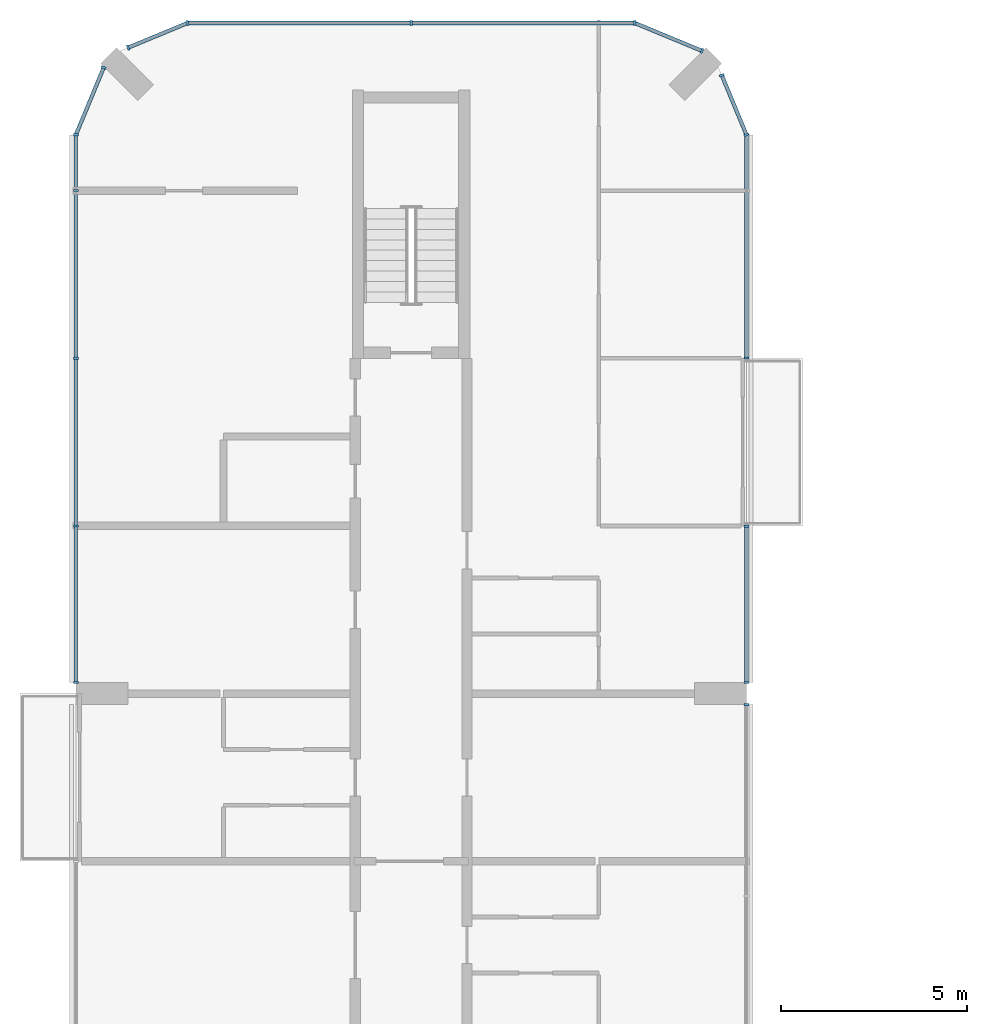
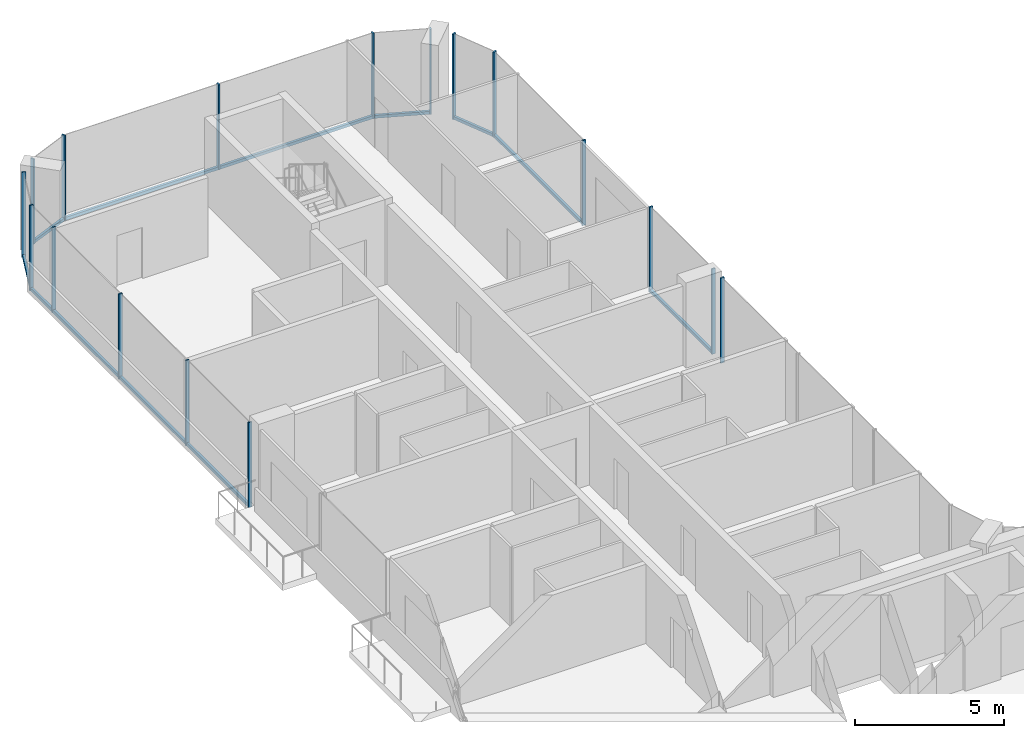
# One storey, part 7 of 16: 25 members, 9 elements without a shape of their own.
"""IFC4 building model written with IfcOpenShell, lengths in metres."""

from ifc_helpers import new_model, si_unit, direction, frame, origin, origin_2d, place, context, subcontext, project, spatial, rectangle, extrude, material, layer, layer_set, material_profile, profile_set, type_object, element, aggregate, save


model = new_model("IFC4")

# Units and contexts
model_context = context("Model", 3, precision=1e-05, world=origin(), true_north=direction((0.0, 1.0)))
body_context = subcontext(model_context, "Body", "Model", "MODEL_VIEW")
ifc_project = project(units=[si_unit("LENGTHUNIT", "METRE"), si_unit("AREAUNIT", "SQUARE_METRE"), si_unit("VOLUMEUNIT", "CUBIC_METRE"), si_unit("PLANEANGLEUNIT", "RADIAN"), si_unit("MASSUNIT", "GRAM", prefix="KILO")], contexts=[model_context])

# Site, building, storey
site_placement = place(None, origin())
site = spatial("IfcSite", under=ifc_project, at=site_placement, CompositionType="ELEMENT")
building_placement = place(site_placement, origin())
building = spatial("IfcBuilding", under=site, at=building_placement, Name="Plateau Cross Towers", CompositionType="ELEMENT")
storey_placement = place(building_placement, frame((0.0, 0.0, 215.39990234375)))
storey = spatial("IfcBuildingStorey", under=building, at=storey_placement, Name="L56", CompositionType="ELEMENT", Elevation=215.39990234375)

# Curtain wall, member
ifc_material_1 = material(Name="Dark low-iron glass", Category="glass")
ifc_layer = layer(ifc_material_1, 0.239990234375)
ifc_layer_set = layer_set([ifc_layer], Name="Dark low-iron glass")
curtain_wall_type = type_object("IfcCurtainWallType", Name="Curtain wall flush unitised CW-B", PredefinedType="NOTDEFINED", material=ifc_layer_set)
curtain_wall_1_placement = place(storey_placement, origin())
curtain_wall_1 = element("IfcCurtainWall", 1, at=curtain_wall_1_placement, inside=storey, type_object=curtain_wall_type, Name="ENV/A/L56/A180_203", PredefinedType="NOTDEFINED")
ifc_material_2 = material(Name="Black anodised aluminium", Category="aluminium")
ifc_material_profile_1 = material_profile(ifc_material_2, rectangle(XDim=0.06005859375, YDim=0.139892578125, at=origin_2d()), Name="MULLION 60x140")
ifc_profile_set_1 = profile_set([ifc_material_profile_1], Name="Black anodised aluminium")
member_type_1 = type_object("IfcMemberType", Name="Mullion 60x140 flush unitised", PredefinedType="MULLION", material=ifc_profile_set_1)
member_1_placement = place(storey_placement, frame((18.0, 35.699951171875, -0.25), z_axis=(0.0, 0.0, 1.0), x_axis=(0.0, 1.0, 0.0)))
member_1 = element("IfcMember", 2, at=member_1_placement, type_object=member_type_1, Name="CW-B mullion 4", PredefinedType="MULLION", context=body_context, shape_type="SweptSolid", body=[
    extrude(rectangle(XDim=0.06005859375, YDim=0.139892578125, at=origin_2d()), origin(), (0.0, 0.0, 1.0), 3.5),
])
aggregate(curtain_wall_1, [member_1])

# Curtain wall, members
curtain_wall_2_placement = place(storey_placement, origin())
curtain_wall_2 = element("IfcCurtainWall", 3, at=curtain_wall_2_placement, inside=storey, type_object=curtain_wall_type, Name="ENV/A/L56/A180_363", PredefinedType="NOTDEFINED")
member_2_placement = place(storey_placement, frame((18.0, 36.300048828125, -0.25), z_axis=(0.0, 0.0, 1.0), x_axis=(0.0, 1.0, 0.0)))
member_2 = element("IfcMember", 4, at=member_2_placement, type_object=member_type_1, Name="CW-B mullion 1", PredefinedType="MULLION", context=body_context, shape_type="SweptSolid", body=[
    extrude(rectangle(XDim=0.06005859375, YDim=0.139892578125, at=origin_2d()), origin(), (0.0, 0.0, 1.0), 3.5),
])
member_3_placement = place(storey_placement, frame((18.0, 40.489990234375, -0.25), z_axis=(0.0, 0.0, 1.0), x_axis=(0.0, 1.0, 0.0)))
member_3 = element("IfcMember", 5, at=member_3_placement, type_object=member_type_1, Name="CW-B mullion 2", PredefinedType="MULLION", context=body_context, shape_type="SweptSolid", body=[
    extrude(rectangle(XDim=0.06005859375, YDim=0.139892578125, at=origin_2d()), origin(), (0.0, 0.0, 1.0), 3.5),
])

# Curtain wall, member
curtain_wall_3_placement = place(storey_placement, origin())
curtain_wall_3 = element("IfcCurtainWall", 6, at=curtain_wall_3_placement, inside=storey, type_object=curtain_wall_type, Name="ENV/A/L56/A180_450", PredefinedType="NOTDEFINED")
member_4_placement = place(storey_placement, frame((18.0, 45.010009765625, -0.25), z_axis=(0.0, 0.0, 1.0), x_axis=(0.0, 1.0, 0.0)))
member_4 = element("IfcMember", 7, at=member_4_placement, type_object=member_type_1, Name="CW-B mullion 1", PredefinedType="MULLION", context=body_context, shape_type="SweptSolid", body=[
    extrude(rectangle(XDim=0.06005859375, YDim=0.139892578125, at=origin_2d()), origin(), (0.0, 0.0, 1.0), 3.5),
])

# Curtain wall, members
curtain_wall_4_placement = place(storey_placement, origin())
curtain_wall_4 = element("IfcCurtainWall", 8, at=curtain_wall_4_placement, inside=storey, type_object=curtain_wall_type, Name="ENV/A/L56/A180_510", PredefinedType="NOTDEFINED")
member_5_placement = place(storey_placement, frame((18.0, 51.0, -0.25), z_axis=(0.0, 0.0, 1.0), x_axis=(-0.382683612978, 0.923879457699, 0.0)))
member_5 = element("IfcMember", 9, at=member_5_placement, type_object=member_type_1, Name="CW-B mullion 1", PredefinedType="MULLION", context=body_context, shape_type="SweptSolid", body=[
    extrude(rectangle(XDim=0.06005859375, YDim=0.139892578125, at=origin_2d()), origin(), (0.0, 0.0, 1.0), 3.5),
])
member_6_placement = place(storey_placement, frame((17.338623046875, 52.5966796875, -0.25), z_axis=(0.0, 0.0, 1.0), x_axis=(-0.382683612978, 0.923879457699, 0.0)))
member_6 = element("IfcMember", 10, at=member_6_placement, type_object=member_type_1, Name="CW-B mullion 2", PredefinedType="MULLION", context=body_context, shape_type="SweptSolid", body=[
    extrude(rectangle(XDim=0.06005859375, YDim=0.139892578125, at=origin_2d()), origin(), (0.0, 0.0, 1.0), 3.5),
])

# Curtain wall, member
curtain_wall_5_placement = place(storey_placement, origin())
curtain_wall_5 = element("IfcCurtainWall", 11, at=curtain_wall_5_placement, inside=storey, type_object=curtain_wall_type, Name="ENV/A/L56/A168_533", PredefinedType="NOTDEFINED")
member_7_placement = place(storey_placement, frame((16.805908203125, 53.251953125, -0.25), z_axis=(0.0, 0.0, 1.0), x_axis=(-0.923879457699, 0.382683612978, 0.0)))
member_7 = element("IfcMember", 12, at=member_7_placement, type_object=member_type_1, Name="CW-B mullion 1", PredefinedType="MULLION", context=body_context, shape_type="SweptSolid", body=[
    extrude(rectangle(XDim=0.06005859375, YDim=0.139892578125, at=origin_2d()), origin(), (0.0, 0.0, 1.0), 3.5),
])

# Curtain wall, members
curtain_wall_6_placement = place(storey_placement, origin())
curtain_wall_6 = element("IfcCurtainWall", 13, at=curtain_wall_6_placement, inside=storey, type_object=curtain_wall_type, Name="ENV/A/L56/A150_540", PredefinedType="NOTDEFINED")
member_8_placement = place(storey_placement, frame((15.0, 54.0, -0.25), z_axis=(0.0, 0.0, 1.0), x_axis=(-1.0, 0.0, 0.0)))
member_8 = element("IfcMember", 14, at=member_8_placement, type_object=member_type_1, Name="CW-B mullion 1", PredefinedType="MULLION", context=body_context, shape_type="SweptSolid", body=[
    extrude(rectangle(XDim=0.06005859375, YDim=0.139892578125, at=origin_2d()), origin(), (0.0, 0.0, 1.0), 3.5),
])
member_9_placement = place(storey_placement, frame((9.0, 54.0, -0.25), z_axis=(0.0, 0.0, 1.0), x_axis=(-1.0, 0.0, 0.0)))
member_9 = element("IfcMember", 15, at=member_9_placement, type_object=member_type_1, Name="CW-B mullion 2", PredefinedType="MULLION", context=body_context, shape_type="SweptSolid", body=[
    extrude(rectangle(XDim=0.06005859375, YDim=0.139892578125, at=origin_2d()), origin(), (0.0, 0.0, 1.0), 3.5),
])

curtain_wall_7_placement = place(storey_placement, origin())
curtain_wall_7 = element("IfcCurtainWall", 16, at=curtain_wall_7_placement, inside=storey, type_object=curtain_wall_type, Name="ENV/A/L56/A30_540", PredefinedType="NOTDEFINED")
member_10_placement = place(storey_placement, frame((3.0, 54.0, -0.25), z_axis=(0.0, 0.0, 1.0), x_axis=(-0.923879457699, -0.382683612978, 0.0)))
member_10 = element("IfcMember", 17, at=member_10_placement, type_object=member_type_1, Name="CW-B mullion 1", PredefinedType="MULLION", context=body_context, shape_type="SweptSolid", body=[
    extrude(rectangle(XDim=0.06005859375, YDim=0.139892578125, at=origin_2d()), origin(), (0.0, 0.0, 1.0), 3.5),
])
member_11_placement = place(storey_placement, frame((1.4033203125, 53.338623046875, -0.25), z_axis=(0.0, 0.0, 1.0), x_axis=(-0.923879457699, -0.382683612978, 0.0)))
member_11 = element("IfcMember", 18, at=member_11_placement, type_object=member_type_1, Name="CW-B mullion 2", PredefinedType="MULLION", context=body_context, shape_type="SweptSolid", body=[
    extrude(rectangle(XDim=0.06005859375, YDim=0.139892578125, at=origin_2d()), origin(), (0.0, 0.0, 1.0), 3.5),
])

# Curtain wall, member
curtain_wall_8_placement = place(storey_placement, origin())
curtain_wall_8 = element("IfcCurtainWall", 19, at=curtain_wall_8_placement, inside=storey, type_object=curtain_wall_type, Name="ENV/A/L56/A7_528", PredefinedType="NOTDEFINED")
member_12_placement = place(storey_placement, frame((0.748046875, 52.805908203125, -0.25), z_axis=(0.0, 0.0, 1.0), x_axis=(-0.382683612978, -0.923879457699, 0.0)))
member_12 = element("IfcMember", 20, at=member_12_placement, type_object=member_type_1, Name="CW-B mullion 1", PredefinedType="MULLION", context=body_context, shape_type="SweptSolid", body=[
    extrude(rectangle(XDim=0.06005859375, YDim=0.139892578125, at=origin_2d()), origin(), (0.0, 0.0, 1.0), 3.5),
])

# Curtain wall, members
curtain_wall_9_placement = place(storey_placement, origin())
curtain_wall_9 = element("IfcCurtainWall", 21, at=curtain_wall_9_placement, inside=storey, type_object=curtain_wall_type, Name="ENV/A/L56/A0_510", PredefinedType="NOTDEFINED")
member_13_placement = place(storey_placement, frame((0.0, 51.0, -0.25), z_axis=(0.0, 0.0, 1.0), x_axis=(0.0, -1.0, 0.0)))
member_13 = element("IfcMember", 22, at=member_13_placement, type_object=member_type_1, Name="CW-B mullion 1", PredefinedType="MULLION", context=body_context, shape_type="SweptSolid", body=[
    extrude(rectangle(XDim=0.06005859375, YDim=0.139892578125, at=origin_2d()), origin(), (0.0, 0.0, 1.0), 3.5),
])
member_14_placement = place(storey_placement, frame((0.0, 49.5, -0.25), z_axis=(0.0, 0.0, 1.0), x_axis=(0.0, -1.0, 0.0)))
member_14 = element("IfcMember", 23, at=member_14_placement, type_object=member_type_1, Name="CW-B mullion 2", PredefinedType="MULLION", context=body_context, shape_type="SweptSolid", body=[
    extrude(rectangle(XDim=0.06005859375, YDim=0.139892578125, at=origin_2d()), origin(), (0.0, 0.0, 1.0), 3.5),
])
member_15_placement = place(storey_placement, frame((0.0, 45.0, -0.25), z_axis=(0.0, 0.0, 1.0), x_axis=(0.0, -1.0, 0.0)))
member_15 = element("IfcMember", 24, at=member_15_placement, type_object=member_type_1, Name="CW-B mullion 3", PredefinedType="MULLION", context=body_context, shape_type="SweptSolid", body=[
    extrude(rectangle(XDim=0.06005859375, YDim=0.139892578125, at=origin_2d()), origin(), (0.0, 0.0, 1.0), 3.5),
])
member_16_placement = place(storey_placement, frame((0.0, 40.5, -0.25), z_axis=(0.0, 0.0, 1.0), x_axis=(0.0, -1.0, 0.0)))
member_16 = element("IfcMember", 25, at=member_16_placement, type_object=member_type_1, Name="CW-B mullion 4", PredefinedType="MULLION", context=body_context, shape_type="SweptSolid", body=[
    extrude(rectangle(XDim=0.06005859375, YDim=0.139892578125, at=origin_2d()), origin(), (0.0, 0.0, 1.0), 3.5),
])
member_17_placement = place(storey_placement, frame((0.0, 36.300048828125, -0.25), z_axis=(0.0, 0.0, 1.0), x_axis=(0.0, -1.0, 0.0)))
member_17 = element("IfcMember", 26, at=member_17_placement, type_object=member_type_1, Name="CW-B mullion 5", PredefinedType="MULLION", context=body_context, shape_type="SweptSolid", body=[
    extrude(rectangle(XDim=0.06005859375, YDim=0.139892578125, at=origin_2d()), origin(), (0.0, 0.0, 1.0), 3.5),
])

# Member
ifc_material_profile_2 = material_profile(ifc_material_2, rectangle(XDim=0.10009765625, YDim=0.1201171875, at=origin_2d()), Name="TRANSOM 100x120")
ifc_profile_set_2 = profile_set([ifc_material_profile_2], Name="Black anodised aluminium")
member_type_2 = type_object("IfcMemberType", Name="Transom 100x120 flush unitised", PredefinedType="USERDEFINED", material=ifc_profile_set_2)
member_18_placement = place(storey_placement, frame((18.0, 36.300048828125, -0.18994140625), z_axis=(0.0, 1.0, 0.0), x_axis=(-1.0, 0.0, 0.0)))
member_18 = element("IfcMember", 27, at=member_18_placement, type_object=member_type_2, Name="CW-B transom", ObjectType="TRANSOM", PredefinedType="USERDEFINED", context=body_context, shape_type="SweptSolid", body=[
    extrude(rectangle(XDim=0.10009765625, YDim=0.1201171875, at=origin_2d()), origin(), (0.0, 0.0, 1.0), 4.18994140625),
])

aggregate(curtain_wall_2, [member_2, member_3, member_18])

member_19_placement = place(storey_placement, frame((18.0, 45.010009765625, -0.18994140625), z_axis=(0.0, 1.0, 0.0), x_axis=(-1.0, 0.0, 0.0)))
member_19 = element("IfcMember", 28, at=member_19_placement, type_object=member_type_2, Name="CW-B transom", ObjectType="TRANSOM", PredefinedType="USERDEFINED", context=body_context, shape_type="SweptSolid", body=[
    extrude(rectangle(XDim=0.10009765625, YDim=0.1201171875, at=origin_2d()), origin(), (0.0, 0.0, 1.0), 5.989990234375),
])

aggregate(curtain_wall_3, [member_4, member_19])

member_20_placement = place(storey_placement, frame((18.0, 51.0, -0.18994140625), z_axis=(-0.382688653628, 0.923877369776, 0.0), x_axis=(-0.923877369776, -0.382688653628, 0.0)))
member_20 = element("IfcMember", 29, at=member_20_placement, type_object=member_type_2, Name="CW-B transom", ObjectType="TRANSOM", PredefinedType="USERDEFINED", context=body_context, shape_type="SweptSolid", body=[
    extrude(rectangle(XDim=0.10009765625, YDim=0.1201171875, at=origin_2d()), origin(), (0.0, 0.0, 1.0), 1.728271484375),
])

aggregate(curtain_wall_4, [member_5, member_6, member_20])

member_21_placement = place(storey_placement, frame((16.805908203125, 53.251953125, -0.18994140625), z_axis=(-0.92387678234, 0.382690071798, 0.0), x_axis=(-0.382690071798, -0.92387678234, 0.0)))
member_21 = element("IfcMember", 30, at=member_21_placement, type_object=member_type_2, Name="CW-B transom", ObjectType="TRANSOM", PredefinedType="USERDEFINED", context=body_context, shape_type="SweptSolid", body=[
    extrude(rectangle(XDim=0.10009765625, YDim=0.1201171875, at=origin_2d()), origin(), (0.0, 0.0, 1.0), 1.95458984375),
])

aggregate(curtain_wall_5, [member_7, member_21])

member_22_placement = place(storey_placement, frame((15.0, 54.0, -0.18994140625), z_axis=(-1.0, 0.0, 0.0), x_axis=(0.0, -1.0, 0.0)))
member_22 = element("IfcMember", 31, at=member_22_placement, type_object=member_type_2, Name="CW-B transom", ObjectType="TRANSOM", PredefinedType="USERDEFINED", context=body_context, shape_type="SweptSolid", body=[
    extrude(rectangle(XDim=0.10009765625, YDim=0.1201171875, at=origin_2d()), origin(), (0.0, 0.0, 1.0), 12.0),
])

aggregate(curtain_wall_6, [member_8, member_9, member_22])

member_23_placement = place(storey_placement, frame((3.0, 54.0, -0.18994140625), z_axis=(-0.923877369776, -0.382688653628, 0.0), x_axis=(0.382688653628, -0.923877369776, 0.0)))
member_23 = element("IfcMember", 32, at=member_23_placement, type_object=member_type_2, Name="CW-B transom", ObjectType="TRANSOM", PredefinedType="USERDEFINED", context=body_context, shape_type="SweptSolid", body=[
    extrude(rectangle(XDim=0.10009765625, YDim=0.1201171875, at=origin_2d()), origin(), (0.0, 0.0, 1.0), 1.728271484375),
])

aggregate(curtain_wall_7, [member_10, member_11, member_23])

member_24_placement = place(storey_placement, frame((0.748046875, 52.805908203125, -0.18994140625), z_axis=(-0.382690071798, -0.92387678234, 0.0), x_axis=(0.92387678234, -0.382690071798, 0.0)))
member_24 = element("IfcMember", 33, at=member_24_placement, type_object=member_type_2, Name="CW-B transom", ObjectType="TRANSOM", PredefinedType="USERDEFINED", context=body_context, shape_type="SweptSolid", body=[
    extrude(rectangle(XDim=0.10009765625, YDim=0.1201171875, at=origin_2d()), origin(), (0.0, 0.0, 1.0), 1.95458984375),
])

aggregate(curtain_wall_8, [member_12, member_24])

member_25_placement = place(storey_placement, frame((0.0, 51.0, -0.18994140625), z_axis=(0.0, -1.0, 0.0), x_axis=(1.0, 0.0, 0.0)))
member_25 = element("IfcMember", 34, at=member_25_placement, type_object=member_type_2, Name="CW-B transom", ObjectType="TRANSOM", PredefinedType="USERDEFINED", context=body_context, shape_type="SweptSolid", body=[
    extrude(rectangle(XDim=0.10009765625, YDim=0.1201171875, at=origin_2d()), origin(), (0.0, 0.0, 1.0), 14.699951171875),
])

aggregate(curtain_wall_9, [member_13, member_14, member_15, member_16, member_17, member_25])

save(model, "model.ifc")
